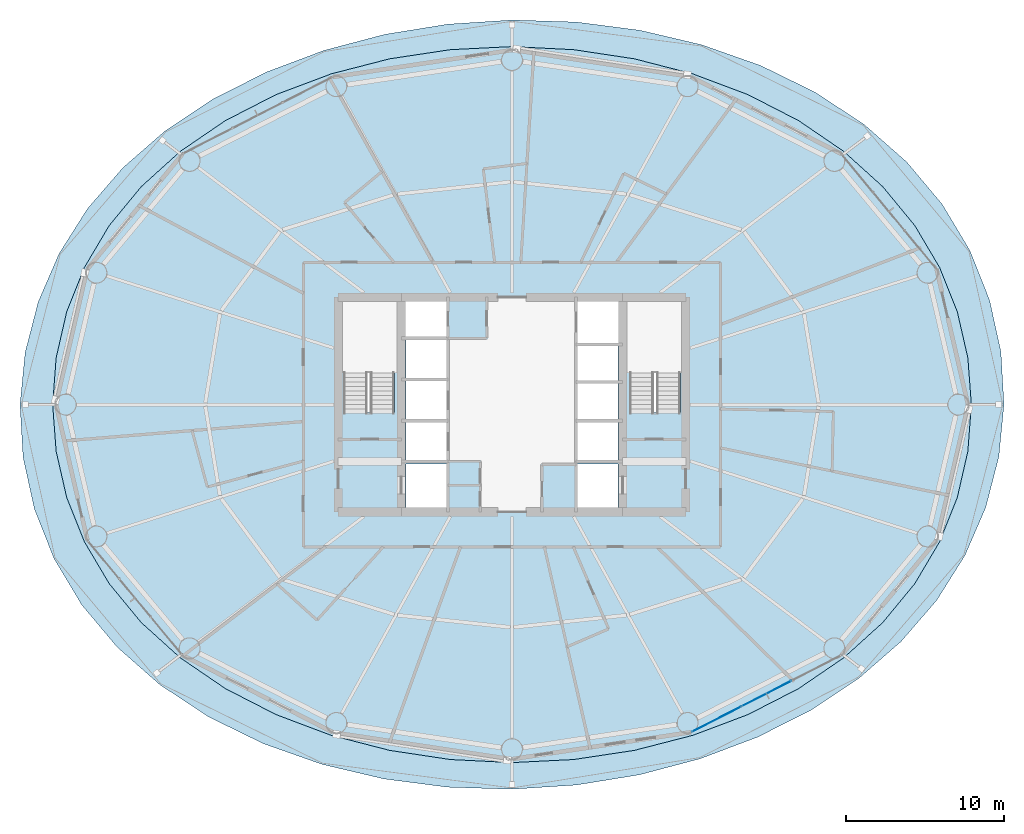
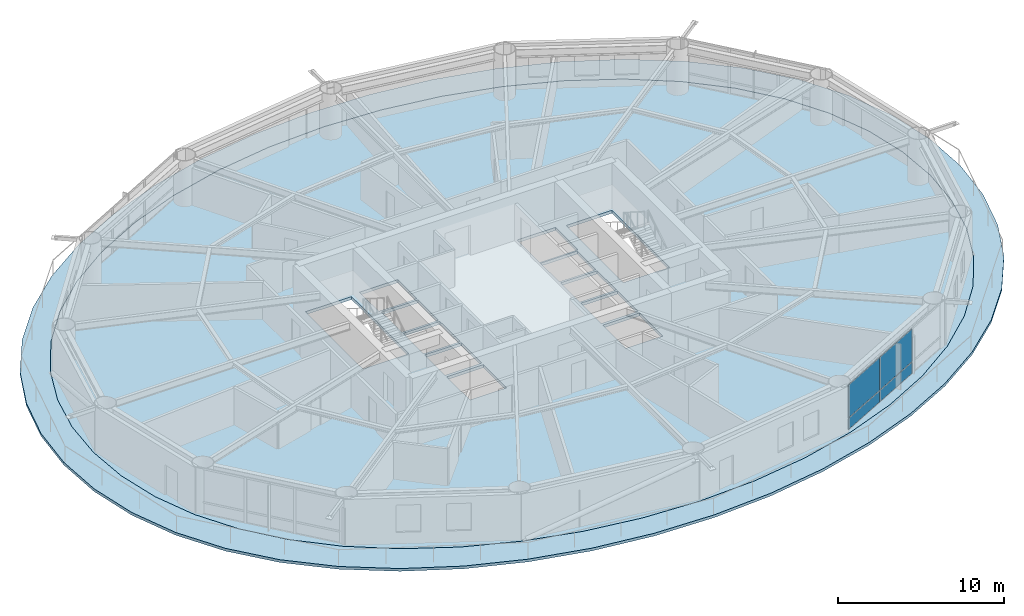
# One storey, part 15 of 24: 4 plates, 2 slabs, 1 element without a shape of its own.
"""IFC4 building model written with IfcOpenShell, lengths in metres."""

from ifc_helpers import new_model, si_unit, direction, frame, origin, origin_2d, place, context, subcontext, project, spatial, polyline, rectangle, outline, extrude, material, layer, layer_set, type_object, element, aggregate, save


model = new_model("IFC4")

# Units and contexts
model_context = context("Model", 3, precision=1e-05, world=origin(), true_north=direction((0.0, 1.0)))
body_context = subcontext(model_context, "Body", "Model", "MODEL_VIEW")
ifc_project = project(units=[si_unit("LENGTHUNIT", "METRE"), si_unit("AREAUNIT", "SQUARE_METRE"), si_unit("VOLUMEUNIT", "CUBIC_METRE"), si_unit("PLANEANGLEUNIT", "RADIAN"), si_unit("MASSUNIT", "GRAM", prefix="KILO")], contexts=[model_context])

# Site, building, storey
site_placement = place(None, origin())
site = spatial("IfcSite", under=ifc_project, at=site_placement, CompositionType="ELEMENT")
building_placement = place(site_placement, origin())
building = spatial("IfcBuilding", under=site, at=building_placement, Name="Sarneth Arch Tower", CompositionType="ELEMENT")
storey_placement = place(building_placement, frame((0.0, 0.0, 127.199951171875)))
storey = spatial("IfcBuildingStorey", under=building, at=storey_placement, Name="L32", CompositionType="ELEMENT", Elevation=127.199951171875)

# Curtain wall, plates
ifc_material_1 = material(Name="Anodised aluminium Type AA25 and solar-control low-e laminated IGU", Category="aluminium")
ifc_layer_1 = layer(ifc_material_1, 0.159912109375)
ifc_layer_set_1 = layer_set([ifc_layer_1], Name="Anodised aluminium Type AA25 and solar-control low-e laminated IGU")
curtain_wall_type = type_object("IfcCurtainWallType", Name="CW-HOTEL-MID", PredefinedType="NOTDEFINED", material=ifc_layer_set_1)
curtain_wall_placement = place(storey_placement, origin())
curtain_wall = element("IfcCurtainWall", 1, at=curtain_wall_placement, inside=storey, type_object=curtain_wall_type, Name="L32 Unitised curtain wall facet 14", PredefinedType="NOTDEFINED")
ifc_material_2 = material(Name="Solar-control low-e laminated IGU", Category="glass")
ifc_layer_2 = layer(ifc_material_2, 0.028076171875)
ifc_layer_set_2 = layer_set([ifc_layer_2], Name="Solar-control low-e laminated IGU")
plate_type = type_object("IfcPlateType", Name="CW-PANEL", PredefinedType="CURTAIN_PANEL", material=ifc_layer_set_2)
plate_1_placement = place(storey_placement, frame((60.946044921875, 22.094482421875, 0.06005859375), z_axis=(0.0, 0.0, 1.0), x_axis=(0.889963703649, 0.456031365356, 0.0)))
plate_1 = element("IfcPlate", 2, at=plate_1_placement, type_object=plate_type, Name="Curtain wall glazed vision pane CW-L32-F14/P00-00", PredefinedType="CURTAIN_PANEL", context=body_context, shape_type="SweptSolid", body=[
    extrude(rectangle(XDim=3.464111328125, YDim=0.028076171875, at=origin_2d()), origin(), (0.0, 0.0, 1.0), 0.81005859375),
])
plate_2_placement = place(storey_placement, frame((60.946044921875, 22.094482421875, 0.93017578125), z_axis=(0.0, 0.0, 1.0), x_axis=(0.889963703649, 0.456031365356, 0.0)))
plate_2 = element("IfcPlate", 3, at=plate_2_placement, type_object=plate_type, Name="Curtain wall glazed vision pane CW-L32-F14/P00-01", PredefinedType="CURTAIN_PANEL", context=body_context, shape_type="SweptSolid", body=[
    extrude(rectangle(XDim=3.464111328125, YDim=0.028076171875, at=origin_2d()), origin(), (0.0, 0.0, 1.0), 2.389892578125),
])
plate_3_placement = place(storey_placement, frame((64.095703125, 23.70849609375, 0.06005859375), z_axis=(0.0, 0.0, 1.0), x_axis=(0.889963703649, 0.456031365356, 0.0)))
plate_3 = element("IfcPlate", 4, at=plate_3_placement, type_object=plate_type, Name="Curtain wall glazed vision pane CW-L32-F14/P01-00", PredefinedType="CURTAIN_PANEL", context=body_context, shape_type="SweptSolid", body=[
    extrude(rectangle(XDim=3.493896484375, YDim=0.028076171875, at=origin_2d()), origin(), (0.0, 0.0, 1.0), 0.81005859375),
])
plate_4_placement = place(storey_placement, frame((64.095703125, 23.70849609375, 0.93017578125), z_axis=(0.0, 0.0, 1.0), x_axis=(0.889963703649, 0.456031365356, 0.0)))
plate_4 = element("IfcPlate", 5, at=plate_4_placement, type_object=plate_type, Name="Curtain wall glazed vision pane CW-L32-F14/P01-01", PredefinedType="CURTAIN_PANEL", context=body_context, shape_type="SweptSolid", body=[
    extrude(rectangle(XDim=3.493896484375, YDim=0.028076171875, at=origin_2d()), origin(), (0.0, 0.0, 1.0), 2.389892578125),
])
aggregate(curtain_wall, [plate_1, plate_2, plate_3, plate_4])

# Slabs
ifc_material_3 = material(Name="Concrete C50/60", Category="concrete")
ifc_layer_3 = layer(ifc_material_3, 0.199951171875)
ifc_layer_set_3 = layer_set([ifc_layer_3], Name="Concrete C50/60")
slab_type_1 = type_object("IfcSlabType", Name="SLAB-BALC-200", PredefinedType="FLOOR", material=ifc_layer_set_3)
slab_1_placement = place(storey_placement, frame((0.0, 0.0, -0.199951171875)))
element("IfcSlab", 6, at=slab_1_placement, inside=storey, type_object=slab_type_1, Name="L32 Helical balcony band slab", PredefinedType="FLOOR", context=body_context, shape_type="SweptSolid", body=[
    extrude(outline(polyline([(79.12890625, 42.0), (78.9365234375, 45.33056640625), (78.218994140625, 48.6025390625), (76.97802734375, 51.738037109375), (75.224365234375, 54.6708984375), (72.97998046875, 57.34716796875), (70.27978515625, 59.724609375), (67.174072265625, 61.76904296875), (63.72705078125, 63.455078125), (60.01171875, 64.763427734375), (56.10400390625, 65.682373046875), (52.0771484375, 66.2060546875), (48.0, 66.333984375), (43.936279296875, 66.070556640625), (39.948486328125, 65.4248046875), (36.099609375, 64.40869140625), (32.455322265625, 63.03759765625), (29.08056640625, 61.32958984375), (26.036376953125, 59.30419921875), (23.375, 56.983642578125), (21.1357421875, 54.39208984375), (19.3466796875, 51.556884765625), (18.028076171875, 48.512939453125), (17.197265625, 45.306640625), (16.87109375, 42.0), (17.0634765625, 38.66943359375), (17.781005859375, 35.3974609375), (19.02197265625, 32.261962890625), (20.775634765625, 29.3291015625), (23.02001953125, 26.65283203125), (25.72021484375, 24.275390625), (28.825927734375, 22.23095703125), (32.27294921875, 20.544921875), (35.98828125, 19.236572265625), (39.89599609375, 18.317626953125), (43.9228515625, 17.7939453125), (48.0, 17.666015625), (52.063720703125, 17.929443359375), (56.051513671875, 18.5751953125), (59.900390625, 19.59130859375), (63.544677734375, 20.96240234375), (66.91943359375, 22.67041015625), (69.963623046875, 24.69580078125), (72.625, 27.016357421875), (74.8642578125, 29.60791015625), (76.6533203125, 32.443115234375), (77.971923828125, 35.487060546875), (78.802734375, 38.693359375), (79.12890625, 42.0)]), holes=[polyline([(77.062744140625, 42.0), (76.84228515625, 44.956298828125), (76.17724609375, 47.8623046875), (75.060546875, 50.667724609375), (73.486328125, 53.324951171875), (71.458251953125, 55.788330078125), (68.994384765625, 58.015869140625), (66.132080078125, 59.969482421875), (62.923828125, 61.615478515625), (59.435302734375, 62.92578125), (55.73779296875, 63.878173828125), (51.902587890625, 64.456298828125), (48.0, 64.64990234375), (44.097412109375, 64.456298828125), (40.26220703125, 63.878173828125), (36.564697265625, 62.92578125), (33.076171875, 61.615478515625), (29.867919921875, 59.969482421875), (27.005615234375, 58.015869140625), (24.541748046875, 55.788330078125), (22.513671875, 53.324951171875), (20.939453125, 50.667724609375), (19.82275390625, 47.8623046875), (19.15771484375, 44.956298828125), (18.937255859375, 42.0), (19.15771484375, 39.043701171875), (19.82275390625, 36.1376953125), (20.939453125, 33.332275390625), (22.513671875, 30.675048828125), (24.541748046875, 28.211669921875), (27.005615234375, 25.984130859375), (29.867919921875, 24.030517578125), (33.076171875, 22.384521484375), (36.564697265625, 21.07421875), (40.26220703125, 20.121826171875), (44.097412109375, 19.543701171875), (48.0, 19.35009765625), (51.902587890625, 19.543701171875), (55.73779296875, 20.121826171875), (59.435302734375, 21.07421875), (62.923828125, 22.384521484375), (66.132080078125, 24.030517578125), (68.994384765625, 25.984130859375), (71.458251953125, 28.211669921875), (73.486328125, 30.675048828125), (75.060546875, 33.332275390625), (76.17724609375, 36.1376953125), (76.84228515625, 39.043701171875), (77.062744140625, 42.0)])]), origin(), (0.0, 0.0, 1.0), 0.199951171875),
])
ifc_material_4 = material(Name="Concrete C50/60", Category="concrete")
ifc_layer_4 = layer(ifc_material_4, 0.219970703125)
ifc_layer_set_4 = layer_set([ifc_layer_4], Name="Concrete C50/60")
slab_type_2 = type_object("IfcSlabType", Name="SLAB-TOWER-220", PredefinedType="FLOOR", material=ifc_layer_set_4)
slab_2_placement = place(storey_placement, frame((0.0, 0.0, -0.219970703125)))
element("IfcSlab", 7, at=slab_2_placement, inside=storey, type_object=slab_type_2, Name="L32 Elliptical floor slab", PredefinedType="FLOOR", context=body_context, shape_type="SweptSolid", body=[
    extrude(outline(polyline([(77.062744140625, 42.0), (76.84228515625, 44.956298828125), (76.17724609375, 47.8623046875), (75.060546875, 50.667724609375), (73.486328125, 53.324951171875), (71.458251953125, 55.788330078125), (68.994384765625, 58.015869140625), (66.132080078125, 59.969482421875), (62.923828125, 61.615478515625), (59.435302734375, 62.92578125), (55.73779296875, 63.878173828125), (51.902587890625, 64.456298828125), (48.0, 64.64990234375), (44.097412109375, 64.456298828125), (40.26220703125, 63.878173828125), (36.564697265625, 62.92578125), (33.076171875, 61.615478515625), (29.867919921875, 59.969482421875), (27.005615234375, 58.015869140625), (24.541748046875, 55.788330078125), (22.513671875, 53.324951171875), (20.939453125, 50.667724609375), (19.82275390625, 47.8623046875), (19.15771484375, 44.956298828125), (18.937255859375, 42.0), (19.15771484375, 39.043701171875), (19.82275390625, 36.1376953125), (20.939453125, 33.332275390625), (22.513671875, 30.675048828125), (24.541748046875, 28.211669921875), (27.005615234375, 25.984130859375), (29.867919921875, 24.030517578125), (33.076171875, 22.384521484375), (36.564697265625, 21.07421875), (40.26220703125, 20.121826171875), (44.097412109375, 19.543701171875), (48.0, 19.35009765625), (51.902587890625, 19.543701171875), (55.73779296875, 20.121826171875), (59.435302734375, 21.07421875), (62.923828125, 22.384521484375), (66.132080078125, 24.030517578125), (68.994384765625, 25.984130859375), (71.458251953125, 28.211669921875), (73.486328125, 30.675048828125), (75.060546875, 33.332275390625), (76.17724609375, 36.1376953125), (76.84228515625, 39.043701171875), (77.062744140625, 42.0)]), holes=[polyline([(37.35009765625, 41.489990234375), (40.550048828125, 41.489990234375), (40.550048828125, 48.39990234375), (37.35009765625, 48.39990234375), (37.35009765625, 41.489990234375)]), polyline([(55.449951171875, 41.489990234375), (58.64990234375, 41.489990234375), (58.64990234375, 48.39990234375), (55.449951171875, 48.39990234375), (55.449951171875, 41.489990234375)]), polyline([(41.199951171875, 46.25), (43.85009765625, 46.25), (43.85009765625, 48.550048828125), (41.199951171875, 48.550048828125), (41.199951171875, 46.25)]), polyline([(41.300048828125, 35.449951171875), (43.85009765625, 35.449951171875), (43.85009765625, 38.25), (41.300048828125, 38.25), (41.300048828125, 35.449951171875)]), polyline([(52.14990234375, 35.449951171875), (54.699951171875, 35.449951171875), (54.699951171875, 38.25), (52.14990234375, 38.25), (52.14990234375, 35.449951171875)]), polyline([(52.14990234375, 45.85009765625), (54.800048828125, 45.85009765625), (54.800048828125, 48.550048828125), (52.14990234375, 48.550048828125), (52.14990234375, 45.85009765625)]), polyline([(41.300048828125, 38.449951171875), (43.85009765625, 38.449951171875), (43.85009765625, 40.89990234375), (41.300048828125, 40.89990234375), (41.300048828125, 38.449951171875)]), polyline([(41.300048828125, 41.050048828125), (43.85009765625, 41.050048828125), (43.85009765625, 43.5), (41.300048828125, 43.5), (41.300048828125, 41.050048828125)]), polyline([(41.300048828125, 43.64990234375), (43.85009765625, 43.64990234375), (43.85009765625, 46.10009765625), (41.300048828125, 46.10009765625), (41.300048828125, 43.64990234375)]), polyline([(52.14990234375, 38.449951171875), (54.699951171875, 38.449951171875), (54.699951171875, 40.89990234375), (52.14990234375, 40.89990234375), (52.14990234375, 38.449951171875)]), polyline([(52.14990234375, 41.050048828125), (54.699951171875, 41.050048828125), (54.699951171875, 43.35009765625), (52.14990234375, 43.35009765625), (52.14990234375, 41.050048828125)]), polyline([(52.14990234375, 43.5), (54.699951171875, 43.5), (54.699951171875, 45.75), (52.14990234375, 45.75), (52.14990234375, 43.5)])]), origin(), (0.0, 0.0, 1.0), 0.219970703125),
])

save(model, "model.ifc")
